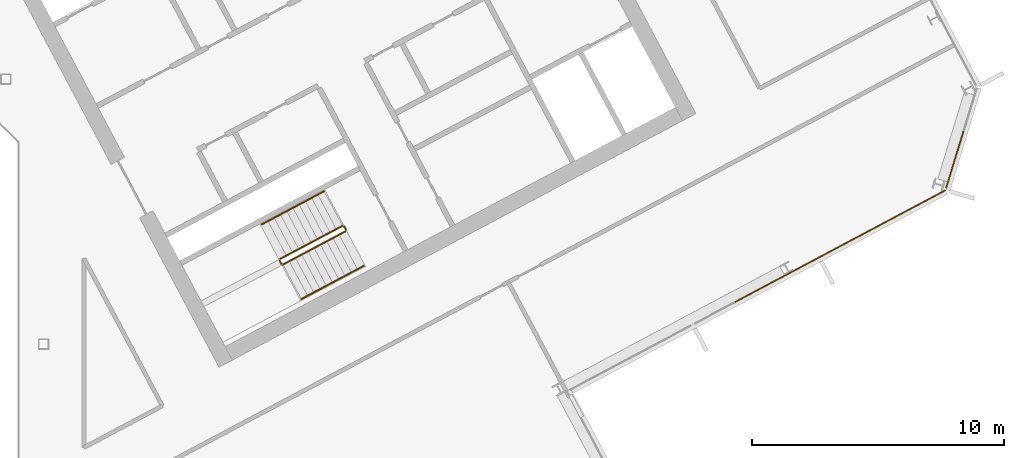
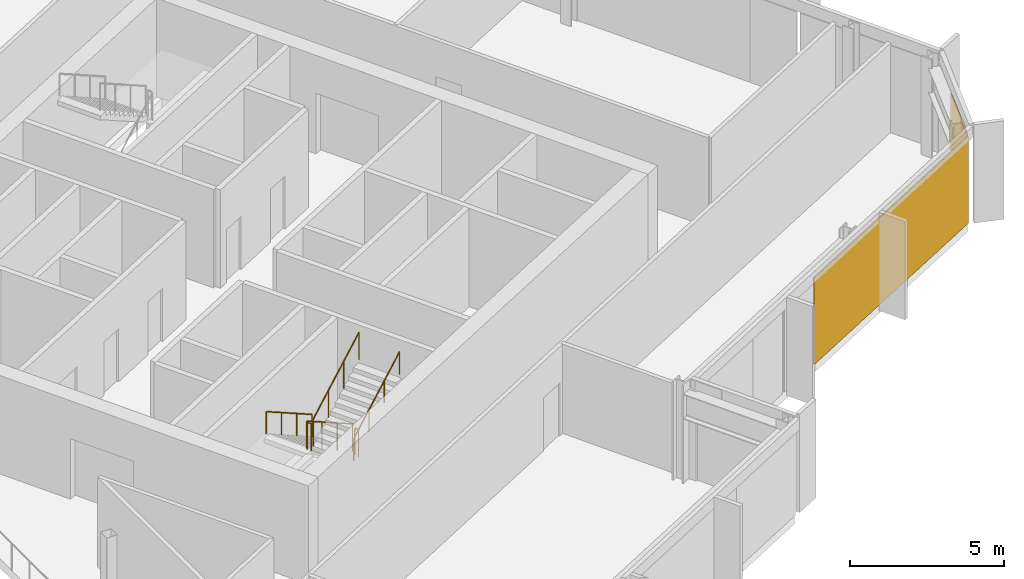
# One storey, part 24 of 26: 6 railings, 2 coverings, 2 elements without a shape of their own.
"""IFC4 building model written with IfcOpenShell, lengths in metres."""

from ifc_helpers import new_model, si_unit, direction, frame, origin, origin_2d, place, context, subcontext, project, spatial, polyline, rectangle, outline, extrude, material, layer, layer_set, type_object, element, aggregate, save


model = new_model("IFC4")

# Units and contexts
model_context = context("Model", 3, precision=1e-05, world=origin(), true_north=direction((0.0, 1.0)))
body_context = subcontext(model_context, "Body", "Model", "MODEL_VIEW")
ifc_project = project(units=[si_unit("LENGTHUNIT", "METRE"), si_unit("AREAUNIT", "SQUARE_METRE"), si_unit("VOLUMEUNIT", "CUBIC_METRE"), si_unit("PLANEANGLEUNIT", "RADIAN"), si_unit("MASSUNIT", "GRAM", prefix="KILO")], contexts=[model_context])

# Site, building, storey
site_placement = place(None, origin())
site = spatial("IfcSite", under=ifc_project, at=site_placement, CompositionType="ELEMENT")
building_placement = place(site_placement, origin())
building = spatial("IfcBuilding", under=site, at=building_placement, Name="Cormorant Relay Tower", CompositionType="ELEMENT")
storey_placement = place(building_placement, frame((0.0, 0.0, 220.800048828125)))
storey = spatial("IfcBuildingStorey", under=building, at=storey_placement, Name="L48", CompositionType="ELEMENT", Elevation=220.800048828125)

# Curtain wall, covering
ifc_material_1 = material(Name="Aluminium 6063-T6 anodised bronze", Category="aluminium")
ifc_layer_1 = layer(ifc_material_1, 0.199951171875)
ifc_layer_set_1 = layer_set([ifc_layer_1], Name="CW1 unitised bronze curtain wall with vertical fins")
curtain_wall_type = type_object("IfcCurtainWallType", Name="CW1 unitised bronze curtain wall with vertical fins", PredefinedType="NOTDEFINED", material=ifc_layer_set_1)
curtain_wall_1_placement = place(storey_placement, origin())
curtain_wall_1 = element("IfcCurtainWall", 1, at=curtain_wall_1_placement, inside=storey, type_object=curtain_wall_type, Name="CW1 curtain wall 4", PredefinedType="NOTDEFINED")
ifc_material_2 = material(Name="Pale bronze anodised aluminium insulated panel", Category="aluminium")
ifc_layer_2 = layer(ifc_material_2, 0.0400390625)
ifc_layer_set_2 = layer_set([ifc_layer_2], Name="CW1 pale bronze insulated panel 40")
covering_type = type_object("IfcCoveringType", Name="CW1 pale bronze insulated panel 40", PredefinedType="CLADDING", material=ifc_layer_set_2)
covering_1_placement = place(storey_placement, frame((43.54736328125, 3.878173828125, 0.0), z_axis=(0.0, 0.0, 1.0), x_axis=(0.882947592859, 0.469471562786, 0.0)))
covering_1 = element("IfcCovering", 2, at=covering_1_placement, type_object=covering_type, Name="CW1 panel S03", PredefinedType="CLADDING", context=body_context, shape_type="SweptSolid", body=[
    extrude(rectangle(XDim=9.458251953125, YDim=0.0400390625, at=origin_2d()), origin(), (0.0, 0.0, 1.0), 3.449951171875),
])
aggregate(curtain_wall_1, [covering_1])

curtain_wall_2_placement = place(storey_placement, origin())
curtain_wall_2 = element("IfcCurtainWall", 3, at=curtain_wall_2_placement, inside=storey, type_object=curtain_wall_type, Name="CW1 curtain wall 5", PredefinedType="NOTDEFINED")
covering_2_placement = place(storey_placement, frame((48.100830078125, 7.314208984375, 0.0), z_axis=(0.0, 0.0, 1.0), x_axis=(0.292371704723, 0.956304755963, 0.0)))
covering_2 = element("IfcCovering", 4, at=covering_2_placement, type_object=covering_type, Name="CW1 panel S00", PredefinedType="CLADDING", context=body_context, shape_type="SweptSolid", body=[
    extrude(rectangle(XDim=2.36767578125, YDim=0.0400390625, at=origin_2d()), origin(), (0.0, 0.0, 1.0), 3.449951171875),
])
aggregate(curtain_wall_2, [covering_2])

# Railings
ifc_material_3 = material(Name="Steel ASTM A572 Grade 50 (Fy 345 MPa)", Category="steel")
railing_type_1 = type_object("IfcRailingType", Name="Stair guard 1100", PredefinedType="GUARDRAIL", material=ifc_material_3)
railing_1_placement = place(storey_placement, frame((23.83837890625, 4.6904296875, 0.17724609375)))
element("IfcRailing", 5, at=railing_1_placement, inside=storey, type_object=railing_type_1, Name="L48 B1 stair guard 1", PredefinedType="GUARDRAIL", context=body_context, shape_type="SweptSolid", body=[
    extrude(outline(polyline([(0.022216796875, 0.00927734375), (0.00927734375, 0.022216796875), (-0.00927734375, 0.022216796875), (-0.022216796875, 0.00927734375), (-0.022216796875, -0.00927734375), (-0.00927734375, -0.022216796875), (0.00927734375, -0.022216796875), (0.022216796875, -0.00927734375), (0.022216796875, 0.00927734375)])), frame((0.0, 0.0, 1.076171875), z_axis=(-0.746033882577, -0.396627473466, 0.534901947407), x_axis=(0.469429322983, -0.882970050864, 0.0)), (0.0, 0.0, 1.0), 3.31396484375),
    extrude(outline(polyline([(0.019287109375, 0.008056640625), (0.008056640625, 0.019287109375), (-0.008056640625, 0.019287109375), (-0.019287109375, 0.008056640625), (-0.019287109375, -0.008056640625), (-0.008056640625, -0.019287109375), (0.008056640625, -0.019287109375), (0.019287109375, -0.008056640625), (0.019287109375, 0.008056640625)])), origin(), (0.0, 0.0, 1.0), 1.052001953125),
    extrude(outline(polyline([(0.019287109375, 0.008056640625), (0.008056640625, 0.019287109375), (-0.008056640625, 0.019287109375), (-0.019287109375, 0.008056640625), (-0.019287109375, -0.008056640625), (-0.008056640625, -0.019287109375), (0.008056640625, -0.019287109375), (0.019287109375, -0.008056640625), (0.019287109375, 0.008056640625)])), frame((-0.82421875, -0.438232421875, 0.5908203125)), (0.0, 0.0, 1.0), 1.052001953125),
    extrude(outline(polyline([(0.019287109375, 0.008056640625), (0.008056640625, 0.019287109375), (-0.008056640625, 0.019287109375), (-0.019287109375, 0.008056640625), (-0.019287109375, -0.008056640625), (-0.008056640625, -0.019287109375), (0.008056640625, -0.019287109375), (0.019287109375, -0.008056640625), (0.019287109375, 0.008056640625)])), frame((-1.648193359375, -0.876220703125, 1.181884765625)), (0.0, 0.0, 1.0), 1.052001953125),
    extrude(outline(polyline([(0.019287109375, 0.008056640625), (0.008056640625, 0.019287109375), (-0.008056640625, 0.019287109375), (-0.019287109375, 0.008056640625), (-0.019287109375, -0.008056640625), (-0.008056640625, -0.019287109375), (0.008056640625, -0.019287109375), (0.019287109375, -0.008056640625), (0.019287109375, 0.008056640625)])), frame((-2.472412109375, -1.314453125, 1.772705078125)), (0.0, 0.0, 1.0), 1.052001953125),
])
railing_2_placement = place(storey_placement, frame((21.345458984375, 3.308349609375, 1.949951171875)))
element("IfcRailing", 6, at=railing_2_placement, inside=storey, type_object=railing_type_1, Name="L48 B1 stair guard 2", PredefinedType="GUARDRAIL", context=body_context, shape_type="SweptSolid", body=[
    extrude(outline(polyline([(0.022216796875, 0.00927734375), (0.00927734375, 0.022216796875), (-0.00927734375, 0.022216796875), (-0.022216796875, 0.00927734375), (-0.022216796875, -0.00927734375), (-0.00927734375, -0.022216796875), (0.00927734375, -0.022216796875), (0.022216796875, -0.00927734375), (0.022216796875, 0.00927734375)])), frame((0.0, 0.0, 1.076171875), z_axis=(0.46856034887, -0.8834314911, 0.0), x_axis=(0.8834314911, 0.46856034887, 0.0)), (0.0, 0.0, 1.0), 0.150146484375),
    extrude(outline(polyline([(0.019287109375, 0.008056640625), (0.008056640625, 0.019287109375), (-0.008056640625, 0.019287109375), (-0.019287109375, 0.008056640625), (-0.019287109375, -0.008056640625), (-0.008056640625, -0.019287109375), (0.008056640625, -0.019287109375), (0.019287109375, -0.008056640625), (0.019287109375, 0.008056640625)])), origin(), (0.0, 0.0, 1.0), 1.052001953125),
    extrude(outline(polyline([(0.019287109375, 0.008056640625), (0.008056640625, 0.019287109375), (-0.008056640625, 0.019287109375), (-0.019287109375, 0.008056640625), (-0.019287109375, -0.008056640625), (-0.008056640625, -0.019287109375), (0.008056640625, -0.019287109375), (0.019287109375, -0.008056640625), (0.019287109375, 0.008056640625)])), frame((0.0703125, -0.132568359375, 0.0)), (0.0, 0.0, 1.0), 1.052001953125),
])
railing_3_placement = place(storey_placement, frame((21.4833984375, 3.1552734375, 2.127197265625)))
element("IfcRailing", 7, at=railing_3_placement, inside=storey, type_object=railing_type_1, Name="L48 B1 stair guard 3", PredefinedType="GUARDRAIL", context=body_context, shape_type="SweptSolid", body=[
    extrude(outline(polyline([(0.022216796875, 0.00927734375), (0.00927734375, 0.022216796875), (-0.00927734375, 0.022216796875), (-0.022216796875, 0.00927734375), (-0.022216796875, -0.00927734375), (-0.00927734375, -0.022216796875), (0.00927734375, -0.022216796875), (0.022216796875, -0.00927734375), (0.022216796875, 0.00927734375)])), frame((0.0, 0.0, 1.076171875), z_axis=(0.746001213114, 0.396649272309, 0.534931345884), x_axis=(-0.469465464807, 0.882950835185, 0.0)), (0.0, 0.0, 1.0), 3.31396484375),
    extrude(outline(polyline([(0.019287109375, 0.008056640625), (0.008056640625, 0.019287109375), (-0.008056640625, 0.019287109375), (-0.019287109375, 0.008056640625), (-0.019287109375, -0.008056640625), (-0.008056640625, -0.019287109375), (0.008056640625, -0.019287109375), (0.019287109375, -0.008056640625), (0.019287109375, 0.008056640625)])), origin(), (0.0, 0.0, 1.0), 1.052001953125),
    extrude(outline(polyline([(0.019287109375, 0.008056640625), (0.008056640625, 0.019287109375), (-0.008056640625, 0.019287109375), (-0.019287109375, 0.008056640625), (-0.019287109375, -0.008056640625), (-0.008056640625, -0.019287109375), (0.008056640625, -0.019287109375), (0.019287109375, -0.008056640625), (0.019287109375, 0.008056640625)])), frame((0.823974609375, 0.438232421875, 0.5908203125)), (0.0, 0.0, 1.0), 1.052001953125),
    extrude(outline(polyline([(0.019287109375, 0.008056640625), (0.008056640625, 0.019287109375), (-0.008056640625, 0.019287109375), (-0.019287109375, 0.008056640625), (-0.019287109375, -0.008056640625), (-0.008056640625, -0.019287109375), (0.008056640625, -0.019287109375), (0.019287109375, -0.008056640625), (0.019287109375, 0.008056640625)])), frame((1.648193359375, 0.876220703125, 1.181884765625)), (0.0, 0.0, 1.0), 1.052001953125),
    extrude(outline(polyline([(0.019287109375, 0.008056640625), (0.008056640625, 0.019287109375), (-0.008056640625, 0.019287109375), (-0.019287109375, 0.008056640625), (-0.019287109375, -0.008056640625), (-0.008056640625, -0.019287109375), (0.008056640625, -0.019287109375), (0.019287109375, -0.008056640625), (0.019287109375, 0.008056640625)])), frame((2.47216796875, 1.314453125, 1.772705078125)), (0.0, 0.0, 1.0), 1.052001953125),
])
railing_4_placement = place(storey_placement, frame((23.906005859375, 4.669677734375, 0.0)))
element("IfcRailing", 8, at=railing_4_placement, inside=storey, type_object=railing_type_1, Name="L48 B1 stair guard 4", PredefinedType="GUARDRAIL", context=body_context, shape_type="SweptSolid", body=[
    extrude(outline(polyline([(0.022216796875, 0.00927734375), (0.00927734375, 0.022216796875), (-0.00927734375, 0.022216796875), (-0.022216796875, 0.00927734375), (-0.022216796875, -0.00927734375), (-0.00927734375, -0.022216796875), (0.00927734375, -0.022216796875), (0.022216796875, -0.00927734375), (0.022216796875, 0.00927734375)])), frame((0.0, 0.0, 1.076171875), z_axis=(0.469234640946, -0.883073525669, 0.0), x_axis=(0.883073525669, 0.469234640946, 0.0)), (0.0, 0.0, 1.0), 0.14990234375),
    extrude(outline(polyline([(0.019287109375, 0.008056640625), (0.008056640625, 0.019287109375), (-0.008056640625, 0.019287109375), (-0.019287109375, 0.008056640625), (-0.019287109375, -0.008056640625), (-0.008056640625, -0.019287109375), (0.008056640625, -0.019287109375), (0.019287109375, -0.008056640625), (0.019287109375, 0.008056640625)])), origin(), (0.0, 0.0, 1.0), 1.052001953125),
    extrude(outline(polyline([(0.019287109375, 0.008056640625), (0.008056640625, 0.019287109375), (-0.008056640625, 0.019287109375), (-0.019287109375, 0.008056640625), (-0.019287109375, -0.008056640625), (-0.008056640625, -0.019287109375), (0.008056640625, -0.019287109375), (0.019287109375, -0.008056640625), (0.019287109375, 0.008056640625)])), frame((0.0703125, -0.13232421875, 0.0)), (0.0, 0.0, 1.0), 1.052001953125),
])
ifc_material_4 = material(Name="Steel ASTM A572 Grade 50 (Fy 345 MPa)", Category="steel")
railing_type_2 = type_object("IfcRailingType", Name="Stair handrail 900", PredefinedType="HANDRAIL", material=ifc_material_4)
railing_5_placement = place(storey_placement, frame((23.110595703125, 6.05908203125, 0.17724609375)))
element("IfcRailing", 9, at=railing_5_placement, inside=storey, type_object=railing_type_2, Name="L48 B1 stair handrail 1", PredefinedType="HANDRAIL", context=body_context, shape_type="SweptSolid", body=[
    extrude(outline(polyline([(0.022216796875, 0.00927734375), (0.00927734375, 0.022216796875), (-0.00927734375, 0.022216796875), (-0.022216796875, 0.00927734375), (-0.022216796875, -0.00927734375), (-0.00927734375, -0.022216796875), (0.00927734375, -0.022216796875), (0.022216796875, -0.00927734375), (0.022216796875, 0.00927734375)])), frame((0.0, 0.0, 0.8759765625), z_axis=(-0.745979412481, -0.396711350603, 0.534915713414), x_axis=(0.469533439143, -0.882914689835, 0.0)), (0.0, 0.0, 1.0), 3.31396484375),
    extrude(outline(polyline([(0.019287109375, 0.008056640625), (0.008056640625, 0.019287109375), (-0.008056640625, 0.019287109375), (-0.019287109375, 0.008056640625), (-0.019287109375, -0.008056640625), (-0.008056640625, -0.019287109375), (0.008056640625, -0.019287109375), (0.019287109375, -0.008056640625), (0.019287109375, 0.008056640625)])), origin(), (0.0, 0.0, 1.0), 0.851806640625),
    extrude(outline(polyline([(0.019287109375, 0.008056640625), (0.008056640625, 0.019287109375), (-0.008056640625, 0.019287109375), (-0.019287109375, 0.008056640625), (-0.019287109375, -0.008056640625), (-0.008056640625, -0.019287109375), (0.008056640625, -0.019287109375), (0.019287109375, -0.008056640625), (0.019287109375, 0.008056640625)])), frame((-0.823974609375, -0.438232421875, 0.5908203125)), (0.0, 0.0, 1.0), 0.851806640625),
    extrude(outline(polyline([(0.019287109375, 0.008056640625), (0.008056640625, 0.019287109375), (-0.008056640625, 0.019287109375), (-0.019287109375, 0.008056640625), (-0.019287109375, -0.008056640625), (-0.008056640625, -0.019287109375), (0.008056640625, -0.019287109375), (0.019287109375, -0.008056640625), (0.019287109375, 0.008056640625)])), frame((-1.648193359375, -0.87646484375, 1.181884765625)), (0.0, 0.0, 1.0), 0.851806640625),
    extrude(outline(polyline([(0.019287109375, 0.008056640625), (0.008056640625, 0.019287109375), (-0.008056640625, 0.019287109375), (-0.019287109375, 0.008056640625), (-0.019287109375, -0.008056640625), (-0.008056640625, -0.019287109375), (0.008056640625, -0.019287109375), (0.019287109375, -0.008056640625), (0.019287109375, 0.008056640625)])), frame((-2.47216796875, -1.314697265625, 1.772705078125)), (0.0, 0.0, 1.0), 0.851806640625),
])
railing_6_placement = place(storey_placement, frame((22.211181640625, 1.78662109375, 2.127197265625)))
element("IfcRailing", 10, at=railing_6_placement, inside=storey, type_object=railing_type_2, Name="L48 B1 stair handrail 2", PredefinedType="HANDRAIL", context=body_context, shape_type="SweptSolid", body=[
    extrude(outline(polyline([(0.022216796875, 0.00927734375), (0.00927734375, 0.022216796875), (-0.00927734375, 0.022216796875), (-0.022216796875, 0.00927734375), (-0.022216796875, -0.00927734375), (-0.00927734375, -0.022216796875), (0.00927734375, -0.022216796875), (0.022216796875, -0.00927734375), (0.022216796875, 0.00927734375)])), frame((0.0, 0.0, 0.8759765625), z_axis=(0.746001213114, 0.396649272309, 0.534931345884), x_axis=(-0.469465464807, 0.882950835185, 0.0)), (0.0, 0.0, 1.0), 3.31396484375),
    extrude(outline(polyline([(0.019287109375, 0.008056640625), (0.008056640625, 0.019287109375), (-0.008056640625, 0.019287109375), (-0.019287109375, 0.008056640625), (-0.019287109375, -0.008056640625), (-0.008056640625, -0.019287109375), (0.008056640625, -0.019287109375), (0.019287109375, -0.008056640625), (0.019287109375, 0.008056640625)])), origin(), (0.0, 0.0, 1.0), 0.851806640625),
    extrude(outline(polyline([(0.019287109375, 0.008056640625), (0.008056640625, 0.019287109375), (-0.008056640625, 0.019287109375), (-0.019287109375, 0.008056640625), (-0.019287109375, -0.008056640625), (-0.008056640625, -0.019287109375), (0.008056640625, -0.019287109375), (0.019287109375, -0.008056640625), (0.019287109375, 0.008056640625)])), frame((0.823974609375, 0.438232421875, 0.5908203125)), (0.0, 0.0, 1.0), 0.851806640625),
    extrude(outline(polyline([(0.019287109375, 0.008056640625), (0.008056640625, 0.019287109375), (-0.008056640625, 0.019287109375), (-0.019287109375, 0.008056640625), (-0.019287109375, -0.008056640625), (-0.008056640625, -0.019287109375), (0.008056640625, -0.019287109375), (0.019287109375, -0.008056640625), (0.019287109375, 0.008056640625)])), frame((1.648193359375, 0.876220703125, 1.181884765625)), (0.0, 0.0, 1.0), 0.851806640625),
    extrude(outline(polyline([(0.019287109375, 0.008056640625), (0.008056640625, 0.019287109375), (-0.008056640625, 0.019287109375), (-0.019287109375, 0.008056640625), (-0.019287109375, -0.008056640625), (-0.008056640625, -0.019287109375), (0.008056640625, -0.019287109375), (0.019287109375, -0.008056640625), (0.019287109375, 0.008056640625)])), frame((2.47216796875, 1.314453125, 1.772705078125)), (0.0, 0.0, 1.0), 0.851806640625),
])

save(model, "model.ifc")
